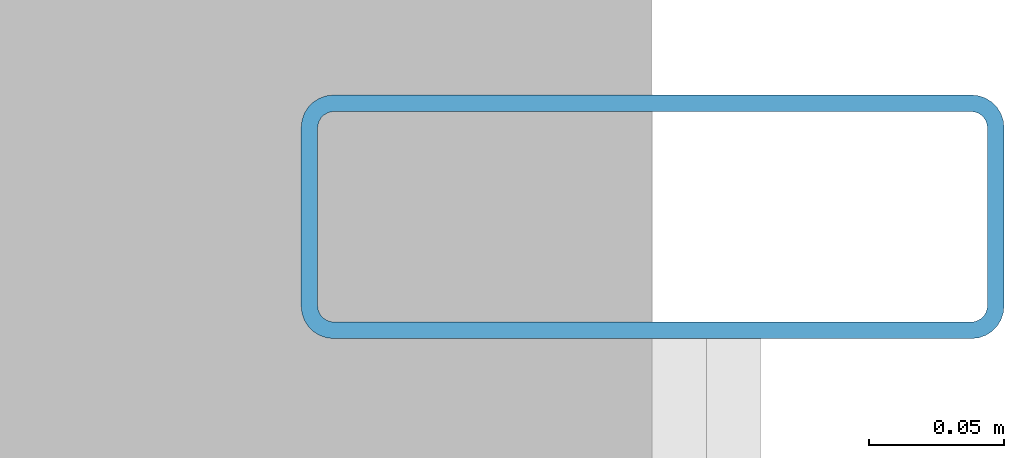
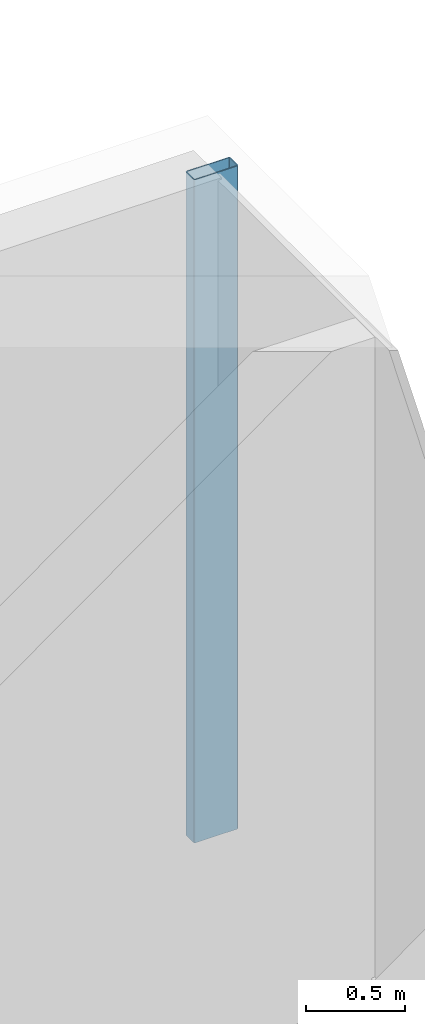
# One storey, part 10 of 17: 1 member, 1 element without a shape of its own.
"""IFC4 building model written with IfcOpenShell, lengths in metres."""

from ifc_helpers import new_model, si_unit, direction, frame, origin, origin_2d, place, context, subcontext, project, spatial, hollow_rectangle, extrude, source, transform, mapped, material, layer, layer_set, material_profile, profile_set, type_object, element, aggregate, save


model = new_model("IFC4")

# Units and contexts
model_context = context("Model", 3, precision=1e-05, world=origin(), true_north=direction((0.0, 1.0)))
body_context = subcontext(model_context, "Body", "Model", "MODEL_VIEW")
ifc_project = project(units=[si_unit("LENGTHUNIT", "METRE"), si_unit("AREAUNIT", "SQUARE_METRE"), si_unit("VOLUMEUNIT", "CUBIC_METRE"), si_unit("PLANEANGLEUNIT", "RADIAN"), si_unit("MASSUNIT", "GRAM", prefix="KILO")], contexts=[model_context])

# Site, building, storey
site_placement = place(None, origin())
site = spatial("IfcSite", under=ifc_project, at=site_placement, CompositionType="ELEMENT")
building_placement = place(site_placement, origin())
building = spatial("IfcBuilding", under=site, at=building_placement, Name="Nefas-Gora Pilgrimage Tower", CompositionType="ELEMENT")
storey_placement = place(building_placement, frame((0.0, 0.0, 367.39990234375)))
storey = spatial("IfcBuildingStorey", under=building, at=storey_placement, Name="L92", CompositionType="ELEMENT", Elevation=367.39990234375)

# Curtain wall, member
ifc_material_1 = material(Name="Dark ceramic-fritted solar-control aluminium-glass curtain wall", Category="aluminium")
ifc_layer = layer(ifc_material_1, 0.219970703125)
ifc_layer_set = layer_set([ifc_layer], Name="Dark ceramic-fritted solar-control aluminium-glass curtain wall")
curtain_wall_type = type_object("IfcCurtainWallType", Name="CW-SYS-6", PredefinedType="NOTDEFINED", material=ifc_layer_set)
curtain_wall_placement = place(storey_placement, origin())
curtain_wall = element("IfcCurtainWall", 1, at=curtain_wall_placement, inside=storey, type_object=curtain_wall_type, Name="L92 Unitised Curtain Wall CW6", PredefinedType="NOTDEFINED")
ifc_material_2 = material(Name="Anodised architectural aluminium", Category="aluminium")
ifc_material_profile = material_profile(ifc_material_2, hollow_rectangle(XDim=0.090087890625, YDim=0.260009765625, WallThickness=0.006103515625, InnerFilletRadius=0.006103515625, OuterFilletRadius=0.011962890625, at=origin_2d()), Name="ALU MULLION 90x260")
ifc_profile_set = profile_set([ifc_material_profile], Name="Anodised architectural aluminium")
member_type = type_object("IfcMemberType", Name="CWM-MUL-6", PredefinedType="MULLION", material=ifc_profile_set)
shared_shape = source(origin(), body_context, "Body", "SweptSolid", [
    extrude(hollow_rectangle(XDim=0.090087890625, YDim=0.260009765625, WallThickness=0.006103515625, InnerFilletRadius=0.006103515625, OuterFilletRadius=0.011962890625, at=origin_2d()), origin(), (0.0, 0.0, 1.0), 4.10009765625),
])
member_placement = place(storey_placement, frame((16.27001953125, 13.074951171875, 0.0), z_axis=(0.0, 0.0, 1.0), x_axis=(0.0, 1.0, 0.0)))
member = element("IfcMember", 2, at=member_placement, type_object=member_type, Name="CW6 Mullion 2", PredefinedType="MULLION", context=body_context, shape_type="MappedRepresentation", body=[
    mapped(shared_shape, transform((0.0, 0.0, 0.0), x_axis=(1.0, 0.0, 0.0), y_axis=(0.0, 1.0, 0.0), z_axis=(0.0, 0.0, 1.0), scale=1.0)),
])
aggregate(curtain_wall, [member])

save(model, "model.ifc")
